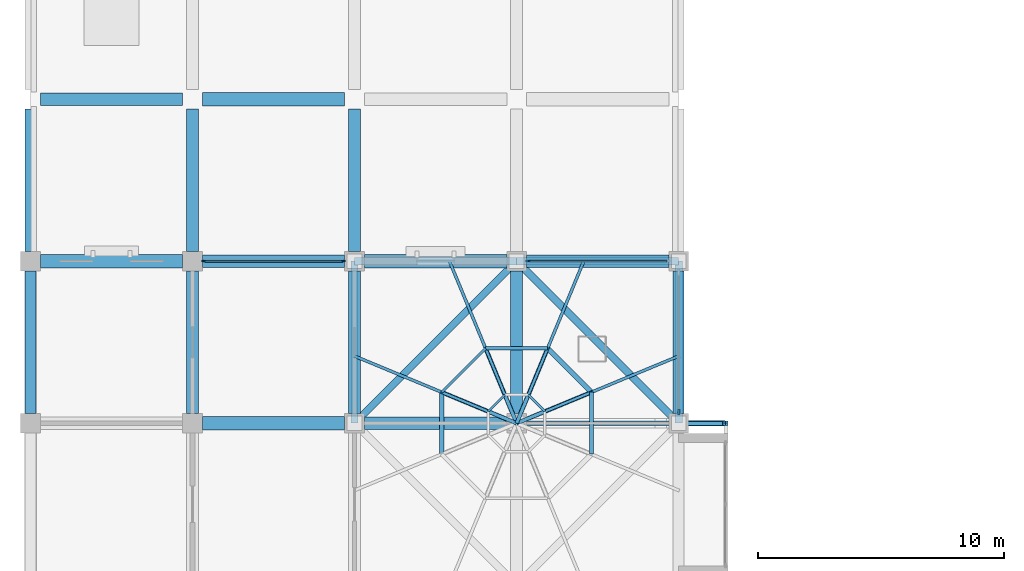
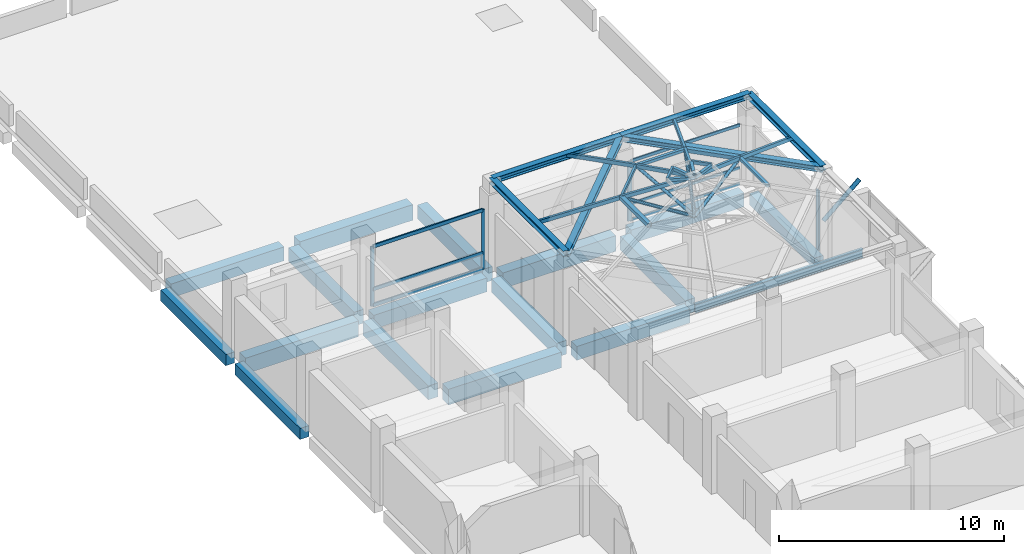
# One storey, part 13 of 30: 34 members, 23 beams, 3 elements without a shape of their own.
"""IFC4 building model written with IfcOpenShell, lengths in metres."""

from ifc_helpers import new_model, si_unit, direction, frame, origin, origin_2d, place, context, subcontext, project, spatial, rectangle, hollow_rectangle, hollow_circle, i_section, extrude, material, material_profile, profile_set, type_object, element, aggregate, save


model = new_model("IFC4")

# Units and contexts
model_context = context("Model", 3, precision=1e-05, world=origin(), true_north=direction((0.0, 1.0)))
body_context = subcontext(model_context, "Body", "Model", "MODEL_VIEW")
ifc_project = project(units=[si_unit("LENGTHUNIT", "METRE"), si_unit("AREAUNIT", "SQUARE_METRE"), si_unit("VOLUMEUNIT", "CUBIC_METRE"), si_unit("PLANEANGLEUNIT", "RADIAN"), si_unit("MASSUNIT", "GRAM", prefix="KILO")], contexts=[model_context])

# Site, building, storey
site_placement = place(None, origin())
site = spatial("IfcSite", under=ifc_project, at=site_placement, CompositionType="ELEMENT")
building_placement = place(site_placement, origin())
building = spatial("IfcBuilding", under=site, at=building_placement, Name="Rusizi Kubbe Research Institute", CompositionType="ELEMENT")
storey_placement = place(building_placement, frame((0.0, 0.0, 10.199951171875)))
storey = spatial("IfcBuildingStorey", under=building, at=storey_placement, Name="L02", CompositionType="ELEMENT", Elevation=10.199951171875)

# Beams
ifc_material_1 = material(Name="Steel S355", Category="steel")
ifc_material_profile_1 = material_profile(ifc_material_1, i_section(OverallWidth=0.300048828125, OverallDepth=0.300048828125, WebThickness=0.010986328125, FlangeThickness=0.01904296875, at=origin_2d()), Name="HEB 300")
ifc_profile_set_1 = profile_set([ifc_material_profile_1], Name="Steel S355")
beam_type_1 = type_object("IfcBeamType", Name="BM-HEB300", PredefinedType="BEAM", material=ifc_profile_set_1)
for number, where, z_axis, x_axis, name in (
    (1, (26.39990234375, 112.199951171875, 4.699951171875), (0.0, 1.0, 0.0), (-1.0, 0.0, 0.0), "Kubbe Dome Ring Beam DOME-LEC E2"),
    (2, (13.199951171875, 118.800048828125, 4.699951171875), (1.0, 0.0, 0.0), (0.0, 1.0, 0.0), "Kubbe Dome Ring Beam DOME-LEC N1"),
):
    element("IfcBeam", number, at=place(storey_placement, frame(where, z_axis=z_axis, x_axis=x_axis)), inside=storey, type_object=beam_type_1, Name=name, PredefinedType="BEAM", context=body_context, shape_type="SweptSolid", body=[
        extrude(i_section(OverallWidth=0.300048828125, OverallDepth=0.300048828125, WebThickness=0.010986328125, FlangeThickness=0.01904296875, at=origin_2d()), origin(), (0.0, 0.0, 1.0), 6.60009765625),
    ])
beam_1_placement = place(storey_placement, frame((19.800048828125, 118.800048828125, 4.699951171875), z_axis=(1.0, 0.0, 0.0), x_axis=(0.0, 1.0, 0.0)))
element("IfcBeam", 3, at=beam_1_placement, inside=storey, type_object=beam_type_1, Name="Kubbe Dome Ring Beam DOME-LEC N2", PredefinedType="BEAM", context=body_context, shape_type="SweptSolid", body=[
    extrude(i_section(OverallWidth=0.300048828125, OverallDepth=0.300048828125, WebThickness=0.010986328125, FlangeThickness=0.01904296875, at=origin_2d()), origin(), (0.0, 0.0, 1.0), 6.599853515625),
])
beam_2_placement = place(storey_placement, frame((13.199951171875, 112.199951171875, 4.699951171875), z_axis=(0.0, 1.0, 0.0), x_axis=(-1.0, 0.0, 0.0)))
element("IfcBeam", 4, at=beam_2_placement, inside=storey, type_object=beam_type_1, Name="Kubbe Dome Ring Beam DOME-LEC W2", PredefinedType="BEAM", context=body_context, shape_type="SweptSolid", body=[
    extrude(i_section(OverallWidth=0.300048828125, OverallDepth=0.300048828125, WebThickness=0.010986328125, FlangeThickness=0.01904296875, at=origin_2d()), origin(), (0.0, 0.0, 1.0), 6.60009765625),
])
beam_3_placement = place(storey_placement, frame((26.39990234375, 112.199951171875, 4.699951171875), z_axis=(-0.707093702722, 0.707119859409, 0.0), x_axis=(-0.707119859409, -0.707093702722, 0.0)))
element("IfcBeam", 5, at=beam_3_placement, inside=storey, type_object=beam_type_1, Name="Kubbe Dome Ring Beam DOME-LEC PNE", PredefinedType="BEAM", context=body_context, shape_type="SweptSolid", body=[
    extrude(i_section(OverallWidth=0.300048828125, OverallDepth=0.300048828125, WebThickness=0.010986328125, FlangeThickness=0.01904296875, at=origin_2d()), origin(), (0.0, 0.0, 1.0), 9.333740234375),
])
beam_4_placement = place(storey_placement, frame((19.800048828125, 118.800048828125, 4.699951171875), z_axis=(-0.707106781187, -0.707106781187, 0.0), x_axis=(0.707106781187, -0.707106781187, 0.0)))
element("IfcBeam", 6, at=beam_4_placement, inside=storey, type_object=beam_type_1, Name="Kubbe Dome Ring Beam DOME-LEC PNW", PredefinedType="BEAM", context=body_context, shape_type="SweptSolid", body=[
    extrude(i_section(OverallWidth=0.300048828125, OverallDepth=0.300048828125, WebThickness=0.010986328125, FlangeThickness=0.01904296875, at=origin_2d()), origin(), (0.0, 0.0, 1.0), 9.333984375),
])
ifc_material_2 = material(Name="Steel S355", Category="steel")
ifc_material_profile_2 = material_profile(ifc_material_2, i_section(OverallWidth=0.18994140625, OverallDepth=0.449951171875, WebThickness=0.009521484375, FlangeThickness=0.0146484375, at=origin_2d()), Name="IPE 450")
ifc_profile_set_2 = profile_set([ifc_material_profile_2], Name="Steel S355")
beam_type_2 = type_object("IfcBeamType", Name="BM-IPE450", PredefinedType="BEAM", material=ifc_profile_set_2)
beam_5_placement = place(storey_placement, frame((19.800048828125, 112.199951171875, -0.574951171875), z_axis=(1.0, 0.0, 0.0), x_axis=(0.0, 1.0, 0.0)))
element("IfcBeam", 7, at=beam_5_placement, inside=storey, type_object=beam_type_2, Name="Cumba Back-Spanned Cantilever Beam L02-2N", PredefinedType="BEAM", context=body_context, shape_type="SweptSolid", body=[
    extrude(i_section(OverallWidth=0.18994140625, OverallDepth=0.449951171875, WebThickness=0.009521484375, FlangeThickness=0.0146484375, at=origin_2d()), origin(), (0.0, 0.0, 1.0), 8.599853515625),
])
ifc_material_3 = material(Name="Concrete C40/50", Category="concrete")
ifc_material_profile_3 = material_profile(ifc_material_3, rectangle(XDim=0.449951171875, YDim=0.60009765625, at=origin_2d()), Name="RC450x600")
ifc_profile_set_3 = profile_set([ifc_material_profile_3], Name="Concrete C40/50")
beam_type_3 = type_object("IfcBeamType", Name="BM-RC450x600", PredefinedType="SPANDREL", material=ifc_profile_set_3)
beam_6_placement = place(storey_placement, frame((0.0, 112.60009765625, -0.64990234375), z_axis=(0.0, 1.0, 0.0), x_axis=(-1.0, 0.0, 0.0)))
element("IfcBeam", 8, at=beam_6_placement, inside=storey, type_object=beam_type_3, Name="Grid Beam V L02 (0,17)", PredefinedType="SPANDREL", context=body_context, shape_type="SweptSolid", body=[
    extrude(rectangle(XDim=0.449951171875, YDim=0.60009765625, at=origin_2d()), origin(), (0.0, 0.0, 1.0), 5.7998046875),
])
beam_7_placement = place(storey_placement, frame((0.0, 119.199951171875, -0.64990234375), z_axis=(0.0, 1.0, 0.0), x_axis=(-1.0, 0.0, 0.0)))
element("IfcBeam", 9, at=beam_7_placement, inside=storey, type_object=beam_type_3, Name="Grid Beam V L02 (0,18)", PredefinedType="SPANDREL", context=body_context, shape_type="SweptSolid", body=[
    extrude(rectangle(XDim=0.449951171875, YDim=0.60009765625, at=origin_2d()), origin(), (0.0, 0.0, 1.0), 5.800048828125),
])
beam_8_placement = place(storey_placement, frame((26.39990234375, 112.60009765625, -0.64990234375), z_axis=(0.0, 1.0, 0.0), x_axis=(-1.0, 0.0, 0.0)))
element("IfcBeam", 10, at=beam_8_placement, inside=storey, type_object=beam_type_3, Name="Grid Beam V L02 (4,17)", PredefinedType="SPANDREL", context=body_context, shape_type="SweptSolid", body=[
    extrude(rectangle(XDim=0.449951171875, YDim=0.60009765625, at=origin_2d()), origin(), (0.0, 0.0, 1.0), 5.7998046875),
])
ifc_material_4 = material(Name="Concrete C45/55", Category="concrete")
ifc_material_profile_4 = material_profile(ifc_material_4, rectangle(XDim=0.5, YDim=0.75, at=origin_2d()), Name="RC500x750B")
ifc_profile_set_4 = profile_set([ifc_material_profile_4], Name="Concrete C45/55")
beam_type_4 = type_object("IfcBeamType", Name="BM-RC500x750", PredefinedType="BEAM", material=ifc_profile_set_4)
for number, where, z_axis, x_axis, name in (
    (11, (0.39990234375, 125.39990234375, -0.724853515625), (1.0, 0.0, 0.0), (0.0, 1.0, 0.0), "Grid Beam H L02 (0,19)"),
    (12, (7.0, 118.800048828125, -0.724853515625), (1.0, 0.0, 0.0), (0.0, 1.0, 0.0), "Grid Beam H L02 (1,18)"),
):
    element("IfcBeam", number, at=place(storey_placement, frame(where, z_axis=z_axis, x_axis=x_axis)), inside=storey, type_object=beam_type_4, Name=name, PredefinedType="BEAM", context=body_context, shape_type="SweptSolid", body=[
        extrude(rectangle(XDim=0.5, YDim=0.75, at=origin_2d()), origin(), (0.0, 0.0, 1.0), 5.800048828125),
    ])
beam_9_placement = place(storey_placement, frame((13.60009765625, 112.199951171875, -0.724853515625), z_axis=(1.0, 0.0, 0.0), x_axis=(0.0, 1.0, 0.0)))
element("IfcBeam", 13, at=beam_9_placement, inside=storey, type_object=beam_type_4, Name="Grid Beam H L02 (2,17)", PredefinedType="BEAM", context=body_context, shape_type="SweptSolid", body=[
    extrude(rectangle(XDim=0.5, YDim=0.75, at=origin_2d()), origin(), (0.0, 0.0, 1.0), 5.7998046875),
])
beam_10_placement = place(storey_placement, frame((20.199951171875, 118.800048828125, -0.724853515625), z_axis=(1.0, 0.0, 0.0), x_axis=(0.0, 1.0, 0.0)))
element("IfcBeam", 14, at=beam_10_placement, inside=storey, type_object=beam_type_4, Name="Grid Beam H L02 (3,18)", PredefinedType="BEAM", context=body_context, shape_type="SweptSolid", body=[
    extrude(rectangle(XDim=0.5, YDim=0.75, at=origin_2d()), origin(), (0.0, 0.0, 1.0), 5.800048828125),
])
beam_11_placement = place(storey_placement, frame((6.60009765625, 112.60009765625, -0.724853515625), z_axis=(0.0, 1.0, 0.0), x_axis=(-1.0, 0.0, 0.0)))
element("IfcBeam", 15, at=beam_11_placement, inside=storey, type_object=beam_type_4, Name="Grid Beam V L02 (1,17)", PredefinedType="BEAM", context=body_context, shape_type="SweptSolid", body=[
    extrude(rectangle(XDim=0.5, YDim=0.75, at=origin_2d()), origin(), (0.0, 0.0, 1.0), 5.7998046875),
])
beam_12_placement = place(storey_placement, frame((6.60009765625, 119.199951171875, -0.724853515625), z_axis=(0.0, 1.0, 0.0), x_axis=(-1.0, 0.0, 0.0)))
element("IfcBeam", 16, at=beam_12_placement, inside=storey, type_object=beam_type_4, Name="Grid Beam V L02 (1,18)", PredefinedType="BEAM", context=body_context, shape_type="SweptSolid", body=[
    extrude(rectangle(XDim=0.5, YDim=0.75, at=origin_2d()), origin(), (0.0, 0.0, 1.0), 5.800048828125),
])
beam_13_placement = place(storey_placement, frame((13.199951171875, 112.60009765625, -0.724853515625), z_axis=(0.0, 1.0, 0.0), x_axis=(-1.0, 0.0, 0.0)))
element("IfcBeam", 17, at=beam_13_placement, inside=storey, type_object=beam_type_4, Name="Grid Beam V L02 (2,17)", PredefinedType="BEAM", context=body_context, shape_type="SweptSolid", body=[
    extrude(rectangle(XDim=0.5, YDim=0.75, at=origin_2d()), origin(), (0.0, 0.0, 1.0), 5.7998046875),
])
beam_14_placement = place(storey_placement, frame((13.199951171875, 119.199951171875, -0.724853515625), z_axis=(0.0, 1.0, 0.0), x_axis=(-1.0, 0.0, 0.0)))
element("IfcBeam", 18, at=beam_14_placement, inside=storey, type_object=beam_type_4, Name="Grid Beam V L02 (2,18)", PredefinedType="BEAM", context=body_context, shape_type="SweptSolid", body=[
    extrude(rectangle(XDim=0.5, YDim=0.75, at=origin_2d()), origin(), (0.0, 0.0, 1.0), 5.800048828125),
])
beam_15_placement = place(storey_placement, frame((19.800048828125, 112.60009765625, -0.724853515625), z_axis=(0.0, 1.0, 0.0), x_axis=(-1.0, 0.0, 0.0)))
element("IfcBeam", 19, at=beam_15_placement, inside=storey, type_object=beam_type_4, Name="Grid Beam V L02 (3,17)", PredefinedType="BEAM", context=body_context, shape_type="SweptSolid", body=[
    extrude(rectangle(XDim=0.5, YDim=0.75, at=origin_2d()), origin(), (0.0, 0.0, 1.0), 5.7998046875),
])
ifc_material_5 = material(Name="Concrete C45/55", Category="concrete")
ifc_material_profile_5 = material_profile(ifc_material_5, rectangle(XDim=0.550048828125, YDim=0.85009765625, at=origin_2d()), Name="RC550x850")
ifc_profile_set_5 = profile_set([ifc_material_profile_5], Name="Concrete C45/55")
beam_type_5 = type_object("IfcBeamType", Name="BM-RC550x850", PredefinedType="BEAM", material=ifc_profile_set_5)
for number, where, z_axis, x_axis, name in (
    (20, (0.39990234375, 118.800048828125, -0.77490234375), (1.0, 0.0, 0.0), (0.0, 1.0, 0.0), "Grid Beam H L02 (0,18)"),
    (21, (7.0, 112.199951171875, -0.77490234375), (1.0, 0.0, 0.0), (0.0, 1.0, 0.0), "Grid Beam H L02 (1,17)"),
    (22, (7.0, 125.39990234375, -0.77490234375), (1.0, 0.0, 0.0), (0.0, 1.0, 0.0), "Grid Beam H L02 (1,19)"),
):
    element("IfcBeam", number, at=place(storey_placement, frame(where, z_axis=z_axis, x_axis=x_axis)), inside=storey, type_object=beam_type_5, Name=name, PredefinedType="BEAM", context=body_context, shape_type="SweptSolid", body=[
        extrude(rectangle(XDim=0.550048828125, YDim=0.85009765625, at=origin_2d()), origin(), (0.0, 0.0, 1.0), 5.800048828125),
    ])
beam_16_placement = place(storey_placement, frame((13.60009765625, 118.800048828125, -0.77490234375), z_axis=(1.0, 0.0, 0.0), x_axis=(0.0, 1.0, 0.0)))
element("IfcBeam", 23, at=beam_16_placement, inside=storey, type_object=beam_type_5, Name="Grid Beam H L02 (2,18)", PredefinedType="BEAM", context=body_context, shape_type="SweptSolid", body=[
    extrude(rectangle(XDim=0.550048828125, YDim=0.85009765625, at=origin_2d()), origin(), (0.0, 0.0, 1.0), 5.7998046875),
])

# Members
ifc_material_6 = material(Name="Steel S355", Category="steel")
ifc_material_profile_6 = material_profile(ifc_material_6, hollow_circle(Radius=0.084228515625, WallThickness=0.00634765625, at=origin_2d()), Name="CHS 168.3x6.3")
ifc_profile_set_6 = profile_set([ifc_material_profile_6], Name="Steel S355")
member_type_1 = type_object("IfcMemberType", Name="MB-CHS168", PredefinedType="STRUT", material=ifc_profile_set_6)
member_1_placement = place(storey_placement, frame((19.800048828125, 112.199951171875, 4.400146484375), z_axis=(0.855544868842, 0.354398911477, 0.37741805593), x_axis=(-0.382702441477, 0.92387165845, 0.0)))
element("IfcMember", 24, at=member_1_placement, inside=storey, type_object=member_type_1, Name="Kubbe Radial King-Post Strut DOME-LEC-1", PredefinedType="STRUT", context=body_context, shape_type="SweptSolid", body=[
    extrude(hollow_circle(Radius=0.084228515625, WallThickness=0.00634765625, at=origin_2d()), origin(), (0.0, 0.0, 1.0), 3.563720703125),
])
member_2_placement = place(storey_placement, frame((19.800048828125, 112.199951171875, 4.400146484375), z_axis=(0.354339004615, 0.855565639914, 0.377427218953), x_axis=(-0.923897814256, 0.382639293348, 0.0)))
element("IfcMember", 25, at=member_2_placement, inside=storey, type_object=member_type_1, Name="Kubbe Radial King-Post Strut DOME-LEC-2", PredefinedType="STRUT", context=body_context, shape_type="SweptSolid", body=[
    extrude(hollow_circle(Radius=0.084228515625, WallThickness=0.00634765625, at=origin_2d()), origin(), (0.0, 0.0, 1.0), 3.5634765625),
])
for number, where, z_axis, x_axis, name in (
    (26, (19.800048828125, 112.199951171875, 4.400146484375), (-0.354398911477, 0.855544868842, 0.37741805593), (-0.92387165845, -0.382702441477, 0.0), "Kubbe Radial King-Post Strut DOME-LEC-3"),
    (27, (19.800048828125, 112.199951171875, 4.400146484375), (-0.855544868842, 0.354398911477, 0.37741805593), (-0.382702441477, -0.92387165845, 0.0), "Kubbe Radial King-Post Strut DOME-LEC-4"),
):
    element("IfcMember", number, at=place(storey_placement, frame(where, z_axis=z_axis, x_axis=x_axis)), inside=storey, type_object=member_type_1, Name=name, PredefinedType="STRUT", context=body_context, shape_type="SweptSolid", body=[
        extrude(hollow_circle(Radius=0.084228515625, WallThickness=0.00634765625, at=origin_2d()), origin(), (0.0, 0.0, 1.0), 3.563720703125),
    ])
ifc_material_7 = material(Name="Steel S355", Category="steel")
ifc_material_profile_7 = material_profile(ifc_material_7, hollow_circle(Radius=0.109619140625, WallThickness=0.008056640625, at=origin_2d()), Name="CHS 219.1x8.0")
ifc_profile_set_7 = profile_set([ifc_material_profile_7], Name="Steel S355")
member_type_2 = type_object("IfcMemberType", Name="MB-CHS219", PredefinedType="BRACE", material=ifc_profile_set_7)
member_3_placement = place(storey_placement, frame((26.39990234375, 112.199951171875, 1.85009765625), z_axis=(0.756409887843, 0.0, 0.654097914362), x_axis=(0.0, 1.0, 0.0)))
element("IfcMember", 28, at=member_3_placement, inside=storey, type_object=member_type_2, Name="Cumba Diagonal Corbel Brace L03-3N", PredefinedType="BRACE", context=body_context, shape_type="SweptSolid", body=[
    extrude(hollow_circle(Radius=0.109619140625, WallThickness=0.008056640625, at=origin_2d()), origin(), (0.0, 0.0, 1.0), 2.44580078125),
])
ifc_material_8 = material(Name="Steel S355", Category="steel")
ifc_material_profile_8 = material_profile(ifc_material_8, hollow_rectangle(XDim=0.10009765625, YDim=0.179931640625, WallThickness=0.008056640625, at=origin_2d()), Name="RHS 180x100x8.0")
ifc_profile_set_8 = profile_set([ifc_material_profile_8], Name="Steel S355")
member_type_3 = type_object("IfcMemberType", Name="MB-RHS180", PredefinedType="PURLIN", material=ifc_profile_set_8)
member_4_placement = place(storey_placement, frame((20.954833984375, 112.678466796875, 6.5), z_axis=(-0.707234383237, 0.706979156105, 0.0), x_axis=(-0.706979156105, -0.707234383237, 0.0)))
element("IfcMember", 29, at=member_4_placement, inside=storey, type_object=member_type_3, Name="Kubbe Dome Hoop Purlin Top DOME-LEC-1", PredefinedType="PURLIN", context=body_context, shape_type="SweptSolid", body=[
    extrude(hollow_rectangle(XDim=0.10009765625, YDim=0.179931640625, WallThickness=0.008056640625, at=origin_2d()), origin(), (0.0, 0.0, 1.0), 0.95654296875),
])
member_5_placement = place(storey_placement, frame((18.537109375, 115.248779296875, 5.7451171875), z_axis=(-0.707106781187, -0.707106781187, 0.0), x_axis=(0.707106781187, -0.707106781187, 0.0)))
element("IfcMember", 30, at=member_5_placement, inside=storey, type_object=member_type_3, Name="Kubbe Vault Hoop Purlin Mid DOME-LEC-3", PredefinedType="PURLIN", context=body_context, shape_type="SweptSolid", body=[
    extrude(hollow_rectangle(XDim=0.10009765625, YDim=0.179931640625, WallThickness=0.008056640625, at=origin_2d()), origin(), (0.0, 0.0, 1.0), 2.525634765625),
])
member_6_placement = place(storey_placement, frame((19.321533203125, 113.354736328125, 6.5), z_axis=(-0.707106781187, -0.707106781187, 0.0), x_axis=(0.707106781187, -0.707106781187, 0.0)))
element("IfcMember", 31, at=member_6_placement, inside=storey, type_object=member_type_3, Name="Kubbe Dome Hoop Purlin Top DOME-LEC-3", PredefinedType="PURLIN", context=body_context, shape_type="SweptSolid", body=[
    extrude(hollow_rectangle(XDim=0.10009765625, YDim=0.179931640625, WallThickness=0.008056640625, at=origin_2d()), origin(), (0.0, 0.0, 1.0), 0.956298828125),
])
ifc_material_9 = material(Name="Steel S355", Category="steel")
ifc_material_profile_9 = material_profile(ifc_material_9, hollow_rectangle(XDim=0.1201171875, YDim=0.199951171875, WallThickness=0.008056640625, at=origin_2d()), Name="RHS 200x120x8.0")
ifc_profile_set_9 = profile_set([ifc_material_profile_9], Name="Steel S355")
member_type_4 = type_object("IfcMemberType", Name="MB-RHS200", PredefinedType="RAFTER", material=ifc_profile_set_9)
member_7_placement = place(storey_placement, frame((26.39990234375, 114.933837890625, 4.699951171875), z_axis=(-0.891501860063, -0.369288326358, 0.262393912886), x_axis=(0.382697731059, -0.923873609669, 0.0)))
element("IfcMember", 32, at=member_7_placement, inside=storey, type_object=member_type_4, Name="Kubbe Arch Rib Lower DOME-LEC-1", PredefinedType="RAFTER", context=body_context, shape_type="SweptSolid", body=[
    extrude(hollow_rectangle(XDim=0.1201171875, YDim=0.199951171875, WallThickness=0.008056640625, at=origin_2d()), origin(), (0.0, 0.0, 1.0), 3.983154296875),
])
member_8_placement = place(storey_placement, frame((22.848876953125, 113.462890625, 5.7451171875), z_axis=(-0.895648348544, -0.371011283394, 0.245284861629), x_axis=(0.382702441477, -0.92387165845, 0.0)))
element("IfcMember", 33, at=member_8_placement, inside=storey, type_object=member_type_4, Name="Kubbe Arch Rib Upper DOME-LEC-1", PredefinedType="RAFTER", context=body_context, shape_type="SweptSolid", body=[
    extrude(hollow_rectangle(XDim=0.1201171875, YDim=0.199951171875, WallThickness=0.008056640625, at=origin_2d()), origin(), (0.0, 0.0, 1.0), 3.404052734375),
])
member_9_placement = place(storey_placement, frame((22.53369140625, 118.800048828125, 4.699951171875), z_axis=(-0.369268148471, -0.891514437785, 0.262379575702), x_axis=(0.923882911584, -0.38267527446, 0.0)))
element("IfcMember", 34, at=member_9_placement, inside=storey, type_object=member_type_4, Name="Kubbe Arch Rib Lower DOME-LEC-2", PredefinedType="RAFTER", context=body_context, shape_type="SweptSolid", body=[
    extrude(hollow_rectangle(XDim=0.1201171875, YDim=0.199951171875, WallThickness=0.008056640625, at=origin_2d()), origin(), (0.0, 0.0, 1.0), 3.9833984375),
])
member_10_placement = place(storey_placement, frame((21.062744140625, 115.248779296875, 5.7451171875), z_axis=(-0.370949432517, -0.895672179675, 0.245291388092), x_axis=(0.923897814256, -0.382639293348, 0.0)))
element("IfcMember", 35, at=member_10_placement, inside=storey, type_object=member_type_4, Name="Kubbe Arch Rib Upper DOME-LEC-2", PredefinedType="RAFTER", context=body_context, shape_type="SweptSolid", body=[
    extrude(hollow_rectangle(XDim=0.1201171875, YDim=0.199951171875, WallThickness=0.008056640625, at=origin_2d()), origin(), (0.0, 0.0, 1.0), 3.404052734375),
])
member_11_placement = place(storey_placement, frame((17.066162109375, 118.800048828125, 4.699951171875), z_axis=(0.369268148471, -0.891514437785, 0.262379575702), x_axis=(0.923882911584, 0.38267527446, 0.0)))
element("IfcMember", 36, at=member_11_placement, inside=storey, type_object=member_type_4, Name="Kubbe Arch Rib Lower DOME-LEC-3", PredefinedType="RAFTER", context=body_context, shape_type="SweptSolid", body=[
    extrude(hollow_rectangle(XDim=0.1201171875, YDim=0.199951171875, WallThickness=0.008056640625, at=origin_2d()), origin(), (0.0, 0.0, 1.0), 3.9833984375),
])
member_12_placement = place(storey_placement, frame((18.537109375, 115.248779296875, 5.7451171875), z_axis=(0.371011283394, -0.895648348544, 0.245284861629), x_axis=(0.92387165845, 0.382702441477, 0.0)))
element("IfcMember", 37, at=member_12_placement, inside=storey, type_object=member_type_4, Name="Kubbe Arch Rib Upper DOME-LEC-3", PredefinedType="RAFTER", context=body_context, shape_type="SweptSolid", body=[
    extrude(hollow_rectangle(XDim=0.1201171875, YDim=0.199951171875, WallThickness=0.008056640625, at=origin_2d()), origin(), (0.0, 0.0, 1.0), 3.404052734375),
])
member_13_placement = place(storey_placement, frame((13.199951171875, 114.933837890625, 4.699951171875), z_axis=(0.891514437785, -0.369268148471, 0.262379575702), x_axis=(0.38267527446, 0.923882911584, 0.0)))
element("IfcMember", 38, at=member_13_placement, inside=storey, type_object=member_type_4, Name="Kubbe Arch Rib Lower DOME-LEC-4", PredefinedType="RAFTER", context=body_context, shape_type="SweptSolid", body=[
    extrude(hollow_rectangle(XDim=0.1201171875, YDim=0.199951171875, WallThickness=0.008056640625, at=origin_2d()), origin(), (0.0, 0.0, 1.0), 3.9833984375),
])
member_14_placement = place(storey_placement, frame((16.751220703125, 113.462890625, 5.7451171875), z_axis=(0.895648348544, -0.371011283394, 0.245284861629), x_axis=(0.382702441477, 0.92387165845, 0.0)))
element("IfcMember", 39, at=member_14_placement, inside=storey, type_object=member_type_4, Name="Kubbe Arch Rib Upper DOME-LEC-4", PredefinedType="RAFTER", context=body_context, shape_type="SweptSolid", body=[
    extrude(hollow_rectangle(XDim=0.1201171875, YDim=0.199951171875, WallThickness=0.008056640625, at=origin_2d()), origin(), (0.0, 0.0, 1.0), 3.404052734375),
])
ifc_material_10 = material(Name="Steel S355", Category="steel")
ifc_material_profile_10 = material_profile(ifc_material_10, hollow_rectangle(XDim=0.14990234375, YDim=0.14990234375, WallThickness=0.008056640625, at=origin_2d()), Name="SHS 150x150x8.0")
ifc_profile_set_10 = profile_set([ifc_material_profile_10], Name="Steel S355")
member_type_5 = type_object("IfcMemberType", Name="MB-SHS150", PredefinedType="PURLIN", material=ifc_profile_set_10)
member_15_placement = place(storey_placement, frame((19.800048828125, 112.199951171875, 6.5), z_axis=(0.923826362943, 0.382811769845, 0.0), x_axis=(-0.382811769845, 0.923826362943, 0.0)))
element("IfcMember", 40, at=member_15_placement, inside=storey, type_object=member_type_5, Name="Kubbe Crown Collar DOME-LEC-1", PredefinedType="PURLIN", context=body_context, shape_type="SweptSolid", body=[
    extrude(hollow_rectangle(XDim=0.14990234375, YDim=0.14990234375, WallThickness=0.008056640625, at=origin_2d()), origin(), (0.0, 0.0, 1.0), 1.25),
])
member_16_placement = place(storey_placement, frame((21.062744140625, 115.248779296875, 5.7451171875), z_axis=(-1.0, 0.0, 0.0), x_axis=(0.0, -1.0, 0.0)))
element("IfcMember", 41, at=member_16_placement, inside=storey, type_object=member_type_5, Name="Kubbe Vault Hoop Purlin Mid DOME-LEC-2", PredefinedType="PURLIN", context=body_context, shape_type="SweptSolid", body=[
    extrude(hollow_rectangle(XDim=0.14990234375, YDim=0.14990234375, WallThickness=0.008056640625, at=origin_2d()), origin(), (0.0, 0.0, 1.0), 2.525634765625),
])
for number, where, z_axis, x_axis, name in (
    (42, (19.800048828125, 112.199951171875, 6.5), (0.382645061011, 0.923895425513, 0.0), (-0.923895425513, 0.382645061011, 0.0), "Kubbe Crown Collar DOME-LEC-2"),
    (43, (19.800048828125, 112.199951171875, 6.5), (-0.382811769845, 0.923826362943, 0.0), (-0.923826362943, -0.382811769845, 0.0), "Kubbe Crown Collar DOME-LEC-3"),
    (44, (19.800048828125, 112.199951171875, 6.5), (-0.923826362943, 0.382811769845, 0.0), (-0.382811769845, -0.923826362943, 0.0), "Kubbe Crown Collar DOME-LEC-4"),
):
    element("IfcMember", number, at=place(storey_placement, frame(where, z_axis=z_axis, x_axis=x_axis)), inside=storey, type_object=member_type_5, Name=name, PredefinedType="PURLIN", context=body_context, shape_type="SweptSolid", body=[
        extrude(hollow_rectangle(XDim=0.14990234375, YDim=0.14990234375, WallThickness=0.008056640625, at=origin_2d()), origin(), (0.0, 0.0, 1.0), 1.25),
    ])
member_17_placement = place(storey_placement, frame((22.848876953125, 110.937255859375, 5.7451171875), z_axis=(0.0, 1.0, 0.0), x_axis=(-1.0, 0.0, 0.0)))
element("IfcMember", 45, at=member_17_placement, inside=storey, type_object=member_type_5, Name="Kubbe Vault Hoop Purlin Mid DOME-LEC-8", PredefinedType="PURLIN", context=body_context, shape_type="SweptSolid", body=[
    extrude(hollow_rectangle(XDim=0.14990234375, YDim=0.14990234375, WallThickness=0.008056640625, at=origin_2d()), origin(), (0.0, 0.0, 1.0), 2.525634765625),
])
ifc_material_11 = material(Name="Steel S355", Category="steel")
ifc_material_profile_11 = material_profile(ifc_material_11, hollow_rectangle(XDim=0.199951171875, YDim=0.199951171875, WallThickness=0.010009765625, at=origin_2d()), Name="SHS 200x200x10.0")
ifc_profile_set_11 = profile_set([ifc_material_profile_11], Name="Steel S355")
member_type_6 = type_object("IfcMemberType", Name="MB-SHS200", PredefinedType="PURLIN", material=ifc_profile_set_11)
member_18_placement = place(storey_placement, frame((22.848876953125, 113.462890625, 5.7451171875), z_axis=(-0.707155108889, 0.707058450181, 0.0), x_axis=(-0.707058450181, -0.707155108889, 0.0)))
element("IfcMember", 46, at=member_18_placement, inside=storey, type_object=member_type_6, Name="Kubbe Vault Hoop Purlin Mid DOME-LEC-1", PredefinedType="PURLIN", context=body_context, shape_type="SweptSolid", body=[
    extrude(hollow_rectangle(XDim=0.199951171875, YDim=0.199951171875, WallThickness=0.010009765625, at=origin_2d()), origin(), (0.0, 0.0, 1.0), 2.52587890625),
])
member_19_placement = place(storey_placement, frame((16.751220703125, 113.462890625, 5.7451171875), z_axis=(0.0, -1.0, 0.0), x_axis=(1.0, 0.0, 0.0)))
element("IfcMember", 47, at=member_19_placement, inside=storey, type_object=member_type_6, Name="Kubbe Vault Hoop Purlin Mid DOME-LEC-4", PredefinedType="PURLIN", context=body_context, shape_type="SweptSolid", body=[
    extrude(hollow_rectangle(XDim=0.199951171875, YDim=0.199951171875, WallThickness=0.010009765625, at=origin_2d()), origin(), (0.0, 0.0, 1.0), 2.525634765625),
])

# Curtain wall, members
ifc_material_12 = material(Name="Thermally Broken Aluminium and Low-E Glazing", Category="aluminium")
curtain_wall_type = type_object("IfcCurtainWallType", Name="CW-05", PredefinedType="NOTDEFINED", material=ifc_material_12)
curtain_wall_1_placement = place(storey_placement, origin())
curtain_wall_1 = element("IfcCurtainWall", 48, at=curtain_wall_1_placement, inside=storey, type_object=curtain_wall_type, Name="Unitised Facade Curtain Wall CW-L02-H-01-18", PredefinedType="NOTDEFINED")
ifc_material_13 = material(Name="Aluminium Alloy 6063-T6", Category="aluminium")
ifc_material_profile_12 = material_profile(ifc_material_13, rectangle(XDim=0.06005859375, YDim=0.179931640625, at=origin_2d()), Name="ALU-M 60x180")
ifc_profile_set_12 = profile_set([ifc_material_profile_12], Name="Aluminium Alloy 6063-T6")
member_type_7 = type_object("IfcMemberType", Name="ML-02", PredefinedType="MULLION", material=ifc_profile_set_12)
member_20_placement = place(storey_placement, frame((7.06005859375, 118.800048828125, 0.0), z_axis=(0.0, 0.0, 1.0), x_axis=(0.0, 1.0, 0.0)))
member_20 = element("IfcMember", 49, at=member_20_placement, type_object=member_type_7, Name="CW-05 mullion 1", PredefinedType="MULLION", context=body_context, shape_type="SweptSolid", body=[
    extrude(rectangle(XDim=0.06005859375, YDim=0.179931640625, at=origin_2d()), origin(), (0.0, 0.0, 1.0), 3.25),
])
member_21_placement = place(storey_placement, frame((12.739990234375, 118.800048828125, 0.0), z_axis=(0.0, 0.0, 1.0), x_axis=(0.0, 1.0, 0.0)))
member_21 = element("IfcMember", 50, at=member_21_placement, type_object=member_type_7, Name="CW-05 mullion 2", PredefinedType="MULLION", context=body_context, shape_type="SweptSolid", body=[
    extrude(rectangle(XDim=0.06005859375, YDim=0.179931640625, at=origin_2d()), origin(), (0.0, 0.0, 1.0), 3.25),
])

# Curtain wall, member
curtain_wall_2_placement = place(storey_placement, origin())
curtain_wall_2 = element("IfcCurtainWall", 51, at=curtain_wall_2_placement, inside=storey, type_object=curtain_wall_type, Name="Unitised Facade Curtain Wall CW-L02-H-03-18", PredefinedType="NOTDEFINED")
ifc_material_14 = material(Name="Aluminium Alloy 6063-T6", Category="aluminium")
ifc_material_profile_13 = material_profile(ifc_material_14, rectangle(XDim=0.06494140625, YDim=0.199951171875, at=origin_2d()), Name="ALU-M 65x200")
ifc_profile_set_13 = profile_set([ifc_material_profile_13], Name="Aluminium Alloy 6063-T6")
member_type_8 = type_object("IfcMemberType", Name="ML-03", PredefinedType="MULLION", material=ifc_profile_set_13)
member_22_placement = place(storey_placement, frame((20.262451171875, 118.800048828125, 0.0), z_axis=(0.0, 0.0, 1.0), x_axis=(0.0, 1.0, 0.0)))
member_22 = element("IfcMember", 52, at=member_22_placement, type_object=member_type_8, Name="CW-05 mullion 1", PredefinedType="MULLION", context=body_context, shape_type="SweptSolid", body=[
    extrude(rectangle(XDim=0.06494140625, YDim=0.199951171875, at=origin_2d()), origin(), (0.0, 0.0, 1.0), 3.25),
])

curtain_wall_3_placement = place(storey_placement, origin())
curtain_wall_3 = element("IfcCurtainWall", 53, at=curtain_wall_3_placement, inside=storey, type_object=curtain_wall_type, Name="Unitised Facade Curtain Wall CW-L02-V-04-17", PredefinedType="NOTDEFINED")
ifc_material_15 = material(Name="Aluminium Alloy 6063-T6", Category="aluminium")
ifc_material_profile_14 = material_profile(ifc_material_15, rectangle(XDim=0.070068359375, YDim=0.219970703125, at=origin_2d()), Name="ALU-M 70x220")
ifc_profile_set_14 = profile_set([ifc_material_profile_14], Name="Aluminium Alloy 6063-T6")
member_type_9 = type_object("IfcMemberType", Name="ML-04", PredefinedType="MULLION", material=ifc_profile_set_14)
member_23_placement = place(storey_placement, frame((26.39990234375, 112.6650390625, 0.0), z_axis=(0.0, 0.0, 1.0), x_axis=(-1.0, 0.0, 0.0)))
member_23 = element("IfcMember", 54, at=member_23_placement, type_object=member_type_9, Name="CW-05 mullion 1", PredefinedType="MULLION", context=body_context, shape_type="SweptSolid", body=[
    extrude(rectangle(XDim=0.070068359375, YDim=0.219970703125, at=origin_2d()), origin(), (0.0, 0.0, 1.0), 3.25),
])
aggregate(curtain_wall_3, [member_23])

# Member
ifc_material_16 = material(Name="Aluminium Alloy 6063-T6", Category="aluminium")
ifc_material_profile_15 = material_profile(ifc_material_16, rectangle(XDim=0.06494140625, YDim=0.159912109375, at=origin_2d()), Name="ALU-T 65x160")
ifc_profile_set_15 = profile_set([ifc_material_profile_15], Name="Aluminium Alloy 6063-T6")
member_type_10 = type_object("IfcMemberType", Name="TR-03", PredefinedType="USERDEFINED", material=ifc_profile_set_15)
member_24_placement = place(storey_placement, frame((20.294921875, 118.800048828125, 0.032470703125), z_axis=(1.0, 0.0, 0.0), x_axis=(0.0, 1.0, 0.0)))
member_24 = element("IfcMember", 55, at=member_24_placement, type_object=member_type_10, Name="CW-05 transom 1.1", ObjectType="TRANSOM", PredefinedType="USERDEFINED", context=body_context, shape_type="SweptSolid", body=[
    extrude(rectangle(XDim=0.06494140625, YDim=0.159912109375, at=origin_2d()), origin(), (0.0, 0.0, 1.0), 5.610107421875),
])

member_25_placement = place(storey_placement, frame((20.294921875, 118.800048828125, 0.900146484375), z_axis=(1.0, 0.0, 0.0), x_axis=(0.0, 1.0, 0.0)))
member_25 = element("IfcMember", 56, at=member_25_placement, type_object=member_type_10, Name="CW-05 transom 1.2", ObjectType="TRANSOM", PredefinedType="USERDEFINED", context=body_context, shape_type="SweptSolid", body=[
    extrude(rectangle(XDim=0.06494140625, YDim=0.159912109375, at=origin_2d()), origin(), (0.0, 0.0, 1.0), 5.610107421875),
])

member_26_placement = place(storey_placement, frame((20.294921875, 118.800048828125, 3.217529296875), z_axis=(1.0, 0.0, 0.0), x_axis=(0.0, 1.0, 0.0)))
member_26 = element("IfcMember", 57, at=member_26_placement, type_object=member_type_10, Name="CW-05 transom 1.3", ObjectType="TRANSOM", PredefinedType="USERDEFINED", context=body_context, shape_type="SweptSolid", body=[
    extrude(rectangle(XDim=0.06494140625, YDim=0.159912109375, at=origin_2d()), origin(), (0.0, 0.0, 1.0), 5.610107421875),
])

aggregate(curtain_wall_2, [member_22, member_24, member_25, member_26])

ifc_material_17 = material(Name="Aluminium Alloy 6063-T6", Category="aluminium")
ifc_material_profile_16 = material_profile(ifc_material_17, rectangle(XDim=0.070068359375, YDim=0.18994140625, at=origin_2d()), Name="ALU-T 70x190")
ifc_profile_set_16 = profile_set([ifc_material_profile_16], Name="Aluminium Alloy 6063-T6")
member_type_11 = type_object("IfcMemberType", Name="TR-04", PredefinedType="USERDEFINED", material=ifc_profile_set_16)
member_27_placement = place(storey_placement, frame((7.090087890625, 118.800048828125, 0.03515625), z_axis=(1.0, 0.0, 0.0), x_axis=(0.0, 1.0, 0.0)))
member_27 = element("IfcMember", 58, at=member_27_placement, type_object=member_type_11, Name="CW-05 transom 1.1", ObjectType="TRANSOM", PredefinedType="USERDEFINED", context=body_context, shape_type="SweptSolid", body=[
    extrude(rectangle(XDim=0.070068359375, YDim=0.18994140625, at=origin_2d()), origin(), (0.0, 0.0, 1.0), 5.619873046875),
])

member_28_placement = place(storey_placement, frame((7.090087890625, 118.800048828125, 0.900146484375), z_axis=(1.0, 0.0, 0.0), x_axis=(0.0, 1.0, 0.0)))
member_28 = element("IfcMember", 59, at=member_28_placement, type_object=member_type_11, Name="CW-05 transom 1.2", ObjectType="TRANSOM", PredefinedType="USERDEFINED", context=body_context, shape_type="SweptSolid", body=[
    extrude(rectangle(XDim=0.070068359375, YDim=0.18994140625, at=origin_2d()), origin(), (0.0, 0.0, 1.0), 5.619873046875),
])

member_29_placement = place(storey_placement, frame((7.090087890625, 118.800048828125, 3.215087890625), z_axis=(1.0, 0.0, 0.0), x_axis=(0.0, 1.0, 0.0)))
member_29 = element("IfcMember", 60, at=member_29_placement, type_object=member_type_11, Name="CW-05 transom 1.3", ObjectType="TRANSOM", PredefinedType="USERDEFINED", context=body_context, shape_type="SweptSolid", body=[
    extrude(rectangle(XDim=0.070068359375, YDim=0.18994140625, at=origin_2d()), origin(), (0.0, 0.0, 1.0), 5.619873046875),
])

aggregate(curtain_wall_1, [member_20, member_21, member_27, member_28, member_29])

save(model, "model.ifc")
